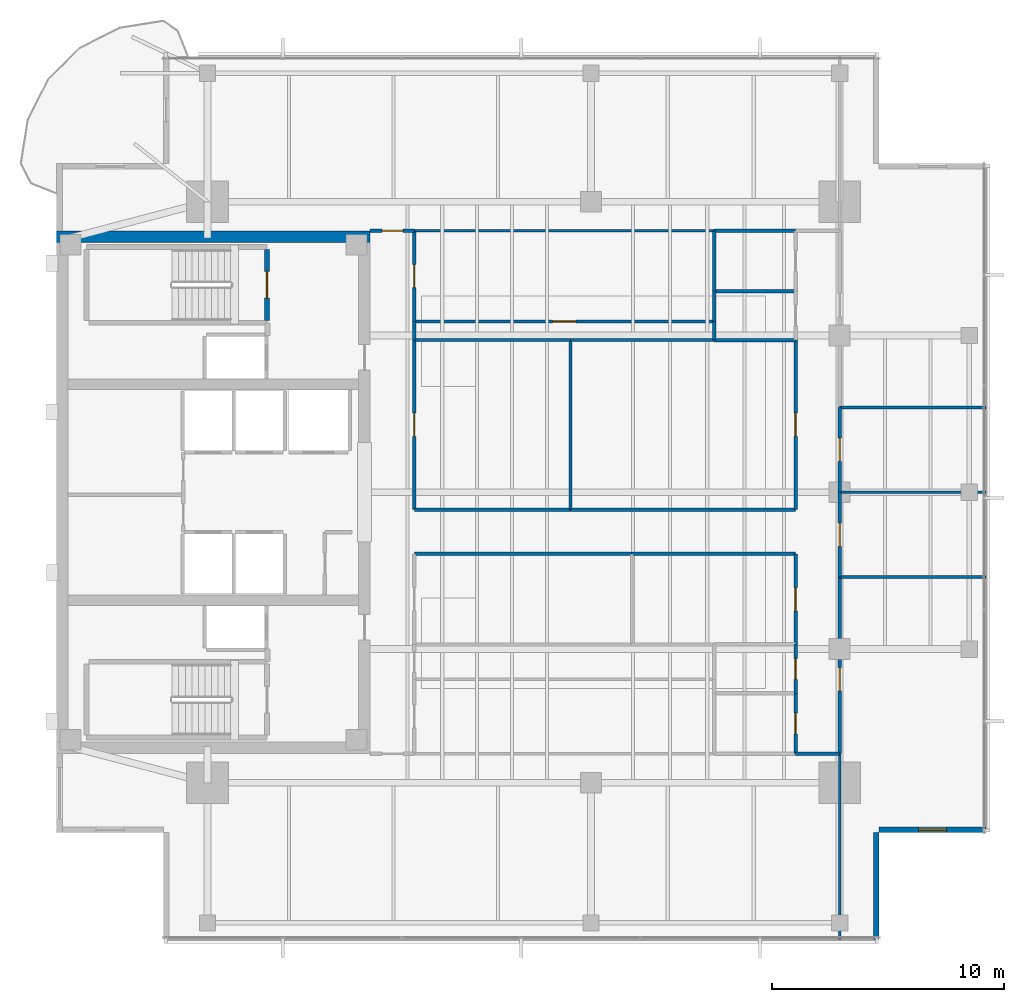
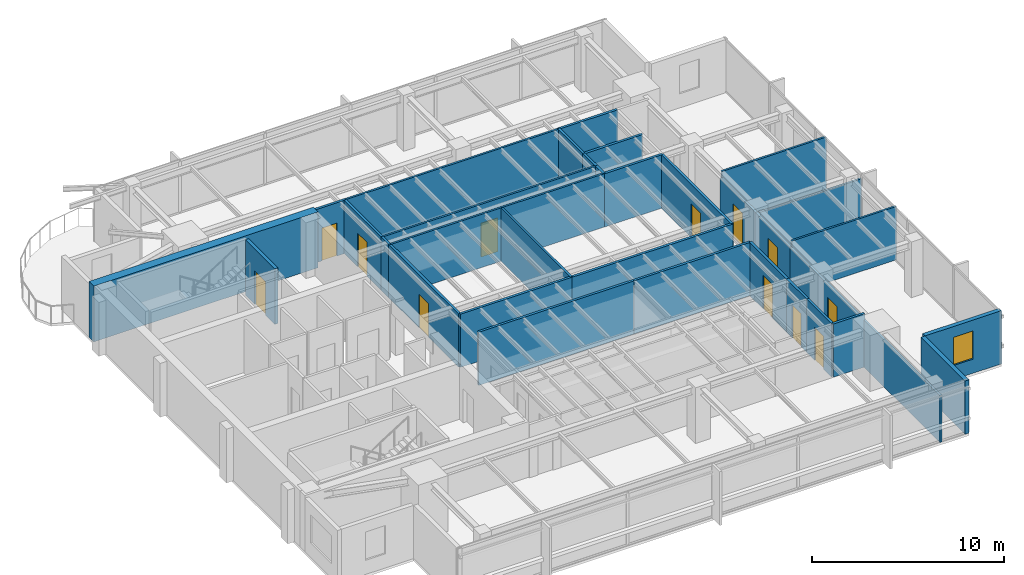
# One storey, part 9 of 14: 35 walls, 12 doors, 1 window, 13 openings.
"""IFC4 building model written with IfcOpenShell, lengths in metres."""

from ifc_helpers import new_model, si_unit, direction, frame, frame_2d, origin, place, context, subcontext, project, spatial, rectangle, extrude, material, layer, layer_set, type_object, element, fill, save


model = new_model("IFC4")

# Units and contexts
model_context = context("Model", 3, precision=1e-05, world=origin(), true_north=direction((0.0, 1.0)))
body_context = subcontext(model_context, "Body", "Model", "MODEL_VIEW")
ifc_project = project(units=[si_unit("LENGTHUNIT", "METRE"), si_unit("AREAUNIT", "SQUARE_METRE"), si_unit("VOLUMEUNIT", "CUBIC_METRE"), si_unit("PLANEANGLEUNIT", "RADIAN"), si_unit("MASSUNIT", "GRAM", prefix="KILO")], contexts=[model_context])

# Site, building, storey
site_placement = place(None, origin())
site = spatial("IfcSite", under=ifc_project, at=site_placement, CompositionType="ELEMENT")
building_placement = place(site_placement, origin())
building = spatial("IfcBuilding", under=site, at=building_placement, Name="Kinhvarn Gate Tower", CompositionType="ELEMENT")
storey_placement = place(building_placement, frame((0.0, 0.0, 252.800048828125)))
storey = spatial("IfcBuildingStorey", under=building, at=storey_placement, Name="L67", CompositionType="ELEMENT", Elevation=252.800048828125)

# Walls
ifc_material_1 = material(Name="Concrete C50/60", Category="concrete")
ifc_layer_1 = layer(ifc_material_1, 0.5)
ifc_layer_set_1 = layer_set([ifc_layer_1], Name="Concrete C50/60")
wall_type_1 = type_object("IfcWallType", Name="WL-CORE-500", PredefinedType="SHEAR", material=ifc_layer_set_1)
wall_1_placement = place(storey_placement, frame((4.5, 36.25, 0.0), z_axis=(0.0, 0.0, 1.0), x_axis=(1.0, 0.0, 0.0)))
element("IfcWall", 1, at=wall_1_placement, inside=storey, type_object=wall_type_1, Name="Core North Shear Wall L67 500 mm", PredefinedType="SHEAR", context=body_context, shape_type="SweptSolid", body=[
    extrude(rectangle(XDim=13.5, YDim=0.5, at=frame_2d((6.75, 0.0))), origin(), (0.0, 0.0, 1.0), 3.550048828125),
])
ifc_material_2 = material(Name="Fired architectural terracotta", Category="masonry")
ifc_layer_2 = layer(ifc_material_2, 0.25)
ifc_layer_set_2 = layer_set([ifc_layer_2], Name="Fired architectural terracotta")
wall_type_2 = type_object("IfcWallType", Name="WL-EXT-250", PredefinedType="SOLIDWALL", material=ifc_layer_set_2)
wall_2_placement = place(storey_placement, frame((39.77490234375, 6.0, 0.0), z_axis=(0.0, 0.0, 1.0), x_axis=(0.0, 1.0, 0.0)))
element("IfcWall", 2, at=wall_2_placement, inside=storey, type_object=wall_type_2, Name="Exterior Solidwall Wall EW-250 (L67 SE-Notch-1)", PredefinedType="SOLIDWALL", context=body_context, shape_type="SweptSolid", body=[
    extrude(rectangle(XDim=4.60009765625, YDim=0.25, at=frame_2d((2.300048828125, 0.0))), origin(), (0.0, 0.0, 1.0), 3.389892578125),
])

# Wall, opening, window
wall_3_placement = place(storey_placement, frame((39.89990234375, 10.72509765625, 0.0), z_axis=(0.0, 0.0, 1.0), x_axis=(1.0, 0.0, 0.0)))
wall_3 = element("IfcWall", 3, at=wall_3_placement, inside=storey, type_object=wall_type_2, Name="Exterior Solidwall Wall EW-250 (L67 SE-Notch-2)", PredefinedType="SOLIDWALL", context=body_context, shape_type="SweptSolid", body=[
    extrude(rectangle(XDim=4.60009765625, YDim=0.25, at=frame_2d((2.300048828125, 0.0))), origin(), (0.0, 0.0, 1.0), 3.389892578125),
])
opening_1_placement = place(wall_3_placement, frame((1.699951171875, 0.0, 0.89990234375)))
opening_1 = element("IfcOpeningElement", 4, at=opening_1_placement, cuts=wall_3, Name="Opening WN-02", PredefinedType="OPENING", context=body_context, shape_type="SweptSolid", body=[
    extrude(rectangle(XDim=1.199951171875, YDim=1.800048828125, at=frame_2d((0.60009765625, 0.89990234375))), frame((0.0, 0.135009765625, 0.0), z_axis=(0.0, -1.0, 0.0), x_axis=(1.0, 0.0, 0.0)), (0.0, 0.0, 1.0), 0.27001953125),
])
ifc_material_3 = material(Name="Clear low-e double glazing", Category="glass")
window_type = type_object("IfcWindowType", Name="WIN-NTC-1200", PartitioningType="SINGLE_PANEL", PredefinedType="WINDOW", material=ifc_material_3)
window_placement = place(opening_1_placement, origin())
window = element("IfcWindow", 5, at=window_placement, inside=storey, type_object=window_type, Name="Recessed Corner Notch Punched Window 1200x1800 mm (L67)", OverallHeight=1.800048828125, OverallWidth=1.199951171875, PartitioningType="SINGLE_PANEL", PredefinedType="WINDOW", context=body_context, shape_type="SweptSolid", body=[
    extrude(rectangle(XDim=1.199951171875, YDim=1.800048828125, at=frame_2d((0.60009765625, 0.89990234375))), frame((0.0, 0.030029296875, 0.0), z_axis=(0.0, -1.0, 0.0), x_axis=(1.0, 0.0, 0.0)), (0.0, 0.0, 1.0), 0.06005859375),
])
fill(opening_1, window)

# Walls
ifc_material_4 = material(Name="Gypsum acoustic partition board")
ifc_layer_3 = layer(ifc_material_4, 0.14990234375)
ifc_layer_set_3 = layer_set([ifc_layer_3], Name="Gypsum acoustic partition board")
wall_type_3 = type_object("IfcWallType", Name="WL-PLM-150", PredefinedType="PLUMBINGWALL", material=ifc_layer_set_3)
wall_4_placement = place(storey_placement, frame((32.800048828125, 33.89990234375, 0.0), z_axis=(0.0, 0.0, 1.0), x_axis=(1.0, 0.0, 0.0)))
element("IfcWall", 6, at=wall_4_placement, inside=storey, type_object=wall_type_3, Name="Interior Partition PLW-150 (L67)", PredefinedType="PLUMBINGWALL", context=body_context, shape_type="SweptSolid", body=[
    extrude(rectangle(XDim=3.5, YDim=0.14990234375, at=frame_2d((1.75, 0.0))), origin(), (0.0, 0.0, 1.0), 3.389892578125),
])
wall_5_placement = place(storey_placement, frame((32.800048828125, 33.89990234375, 0.0), z_axis=(0.0, 0.0, 1.0), x_axis=(0.0, 1.0, 0.0)))
element("IfcWall", 7, at=wall_5_placement, inside=storey, type_object=wall_type_3, Name="Interior Partition PLW-150 (L67)", PredefinedType="PLUMBINGWALL", context=body_context, shape_type="SweptSolid", body=[
    extrude(rectangle(XDim=2.60009765625, YDim=0.14990234375, at=frame_2d((1.300048828125, 0.0))), origin(), (0.0, 0.0, 1.0), 3.389892578125),
])
wall_6_placement = place(storey_placement, frame((32.800048828125, 36.5, 0.0), z_axis=(0.0, 0.0, 1.0), x_axis=(1.0, 0.0, 0.0)))
element("IfcWall", 8, at=wall_6_placement, inside=storey, type_object=wall_type_3, Name="Interior Partition PLW-150 (L67)", PredefinedType="PLUMBINGWALL", context=body_context, shape_type="SweptSolid", body=[
    extrude(rectangle(XDim=3.5, YDim=0.14990234375, at=frame_2d((1.75, 0.0))), origin(), (0.0, 0.0, 1.0), 3.389892578125),
])
wall_7_placement = place(storey_placement, frame((32.800048828125, 32.60009765625, 0.0), z_axis=(0.0, 0.0, 1.0), x_axis=(0.0, 1.0, 0.0)))
element("IfcWall", 9, at=wall_7_placement, inside=storey, type_object=wall_type_3, Name="Interior Partition PLW-150 (L67)", PredefinedType="PLUMBINGWALL", context=body_context, shape_type="SweptSolid", body=[
    extrude(rectangle(XDim=1.2998046875, YDim=0.14990234375, at=frame_2d((0.64990234375, 0.0))), origin(), (0.0, 0.0, 1.0), 3.389892578125),
])
wall_8_placement = place(storey_placement, frame((32.800048828125, 31.800048828125, 0.0), z_axis=(0.0, 0.0, 1.0), x_axis=(0.0, 1.0, 0.0)))
element("IfcWall", 10, at=wall_8_placement, inside=storey, type_object=wall_type_3, Name="Interior Partition PLW-150 (L67)", PredefinedType="PLUMBINGWALL", context=body_context, shape_type="SweptSolid", body=[
    extrude(rectangle(XDim=0.800048828125, YDim=0.14990234375, at=frame_2d((0.39990234375, 0.0))), origin(), (0.0, 0.0, 1.0), 3.389892578125),
])
wall_9_placement = place(storey_placement, frame((32.800048828125, 31.800048828125, 0.0), z_axis=(0.0, 0.0, 1.0), x_axis=(1.0, 0.0, 0.0)))
element("IfcWall", 11, at=wall_9_placement, inside=storey, type_object=wall_type_3, Name="Interior Partition PLW-150 (L67)", PredefinedType="PLUMBINGWALL", context=body_context, shape_type="SweptSolid", body=[
    extrude(rectangle(XDim=3.5, YDim=0.14990234375, at=frame_2d((1.75, 0.0))), origin(), (0.0, 0.0, 1.0), 3.389892578125),
])

# Wall, opening, door
ifc_layer_4 = layer(ifc_material_4, 0.14990234375)
ifc_layer_set_4 = layer_set([ifc_layer_4], Name="Gypsum acoustic partition board")
wall_type_4 = type_object("IfcWallType", Name="WL-PLM-150F", PredefinedType="PLUMBINGWALL", material=ifc_layer_set_4)
wall_10_placement = place(storey_placement, frame((36.300048828125, 14.0, 0.0), z_axis=(0.0, 0.0, 1.0), x_axis=(0.0, 1.0, 0.0)))
wall_10 = element("IfcWall", 12, at=wall_10_placement, inside=storey, type_object=wall_type_4, Name="Interior Partition PLW-150F (L67)", PredefinedType="PLUMBINGWALL", context=body_context, shape_type="SweptSolid", body=[
    extrude(rectangle(XDim=2.60009765625, YDim=0.14990234375, at=frame_2d((1.300048828125, 0.0))), origin(), (0.0, 0.0, 1.0), 3.389892578125),
])
opening_2_placement = place(wall_10_placement, frame((0.85009765625, 0.0, 0.0)))
opening_2 = element("IfcOpeningElement", 13, at=opening_2_placement, cuts=wall_10, Name="Opening FD-04", PredefinedType="OPENING", context=body_context, shape_type="SweptSolid", body=[
    extrude(rectangle(XDim=0.89990234375, YDim=2.10009765625, at=frame_2d((0.449951171875, 1.050048828125))), frame((0.0, 0.0849609375, 0.0), z_axis=(0.0, -1.0, 0.0), x_axis=(1.0, 0.0, 0.0)), (0.0, 0.0, 1.0), 0.169921875),
])
ifc_material_5 = material(Name="Anodised aluminium AW-6063", Category="aluminium")
door_type_1 = type_object("IfcDoorType", Name="DR-FD-900", OperationType="NOTDEFINED", PredefinedType="DOOR", material=ifc_material_5)
door_1_placement = place(opening_2_placement, origin())
door_1 = element("IfcDoor", 14, at=door_1_placement, inside=storey, type_object=door_type_1, Name="Rated Riser & Service Closet Fire Door 900x2100 mm (L67)", OperationType="SINGLE_SWING_RIGHT", OverallHeight=2.10009765625, OverallWidth=0.89990234375, PredefinedType="DOOR", context=body_context, shape_type="SweptSolid", body=[
    extrude(rectangle(XDim=0.89990234375, YDim=2.10009765625, at=frame_2d((0.449951171875, 1.050048828125))), frame((0.0, 0.02490234375, 0.0), z_axis=(0.0, -1.0, 0.0), x_axis=(1.0, 0.0, 0.0)), (0.0, 0.0, 1.0), 0.050048828125),
])
fill(opening_2, door_1)

wall_11_placement = place(storey_placement, frame((36.300048828125, 16.60009765625, 0.0), z_axis=(0.0, 0.0, 1.0), x_axis=(0.0, 1.0, 0.0)))
wall_11 = element("IfcWall", 15, at=wall_11_placement, inside=storey, type_object=wall_type_4, Name="Interior Partition PLW-150F (L67)", PredefinedType="PLUMBINGWALL", context=body_context, shape_type="SweptSolid", body=[
    extrude(rectangle(XDim=2.099853515625, YDim=0.14990234375, at=frame_2d((1.0498046875, 0.0))), origin(), (0.0, 0.0, 1.0), 3.389892578125),
])
opening_3_placement = place(wall_11_placement, frame((0.60009765625, 0.0, 0.0)))
opening_3 = element("IfcOpeningElement", 16, at=opening_3_placement, cuts=wall_11, Name="Opening FD-04", PredefinedType="OPENING", context=body_context, shape_type="SweptSolid", body=[
    extrude(rectangle(XDim=0.89990234375, YDim=2.10009765625, at=frame_2d((0.449951171875, 1.050048828125))), frame((0.0, 0.0849609375, 0.0), z_axis=(0.0, -1.0, 0.0), x_axis=(1.0, 0.0, 0.0)), (0.0, 0.0, 1.0), 0.169921875),
])
door_2_placement = place(opening_3_placement, origin())
door_2 = element("IfcDoor", 17, at=door_2_placement, inside=storey, type_object=door_type_1, Name="Rated Riser & Service Closet Fire Door 900x2100 mm (L67)", OperationType="SINGLE_SWING_RIGHT", OverallHeight=2.10009765625, OverallWidth=0.89990234375, PredefinedType="DOOR", context=body_context, shape_type="SweptSolid", body=[
    extrude(rectangle(XDim=0.89990234375, YDim=2.10009765625, at=frame_2d((0.449951171875, 1.050048828125))), frame((0.0, 0.02490234375, 0.0), z_axis=(0.0, -1.0, 0.0), x_axis=(1.0, 0.0, 0.0)), (0.0, 0.0, 1.0), 0.050048828125),
])
fill(opening_3, door_2)

ifc_layer_5 = layer(ifc_material_4, 0.1201171875)
ifc_layer_set_5 = layer_set([ifc_layer_5], Name="Gypsum acoustic partition board")
wall_type_5 = type_object("IfcWallType", Name="WL-PRT-120", PredefinedType="PARTITIONING", material=ifc_layer_set_5)
wall_12_placement = place(storey_placement, frame((19.89990234375, 32.60009765625, 0.0), z_axis=(0.0, 0.0, 1.0), x_axis=(1.0, 0.0, 0.0)))
wall_12 = element("IfcWall", 18, at=wall_12_placement, inside=storey, type_object=wall_type_5, Name="Interior Partition PW-120 (L67)", PredefinedType="PARTITIONING", context=body_context, shape_type="SweptSolid", body=[
    extrude(rectangle(XDim=12.900146484375, YDim=0.1201171875, at=frame_2d((6.4501953125, 0.0))), origin(), (0.0, 0.0, 1.0), 3.389892578125),
])
opening_4_placement = place(wall_12_placement, frame((5.949951171875, 0.0, 0.0)))
opening_4 = element("IfcOpeningElement", 19, at=opening_4_placement, cuts=wall_12, Name="Opening ID-02", PredefinedType="OPENING", context=body_context, shape_type="SweptSolid", body=[
    extrude(rectangle(XDim=1.0, YDim=2.14990234375, at=frame_2d((0.5, 1.074951171875))), frame((0.0, 0.070068359375, 0.0), z_axis=(0.0, -1.0, 0.0), x_axis=(1.0, 0.0, 0.0)), (0.0, 0.0, 1.0), 0.14013671875),
])
door_type_2 = type_object("IfcDoorType", Name="DR-INT-1000", OperationType="NOTDEFINED", PredefinedType="DOOR", material=ifc_material_5)
door_3_placement = place(opening_4_placement, origin())
door_3 = element("IfcDoor", 20, at=door_3_placement, inside=storey, type_object=door_type_2, Name="Standard Office & Meeting Room Door 1000x2150 mm (L67)", OperationType="SINGLE_SWING_RIGHT", OverallHeight=2.14990234375, OverallWidth=1.0, PredefinedType="DOOR", context=body_context, shape_type="SweptSolid", body=[
    extrude(rectangle(XDim=1.0, YDim=2.14990234375, at=frame_2d((0.5, 1.074951171875))), frame((0.0, 0.02490234375, 0.0), z_axis=(0.0, -1.0, 0.0), x_axis=(1.0, 0.0, 0.0)), (0.0, 0.0, 1.0), 0.050048828125),
])
fill(opening_4, door_3)

# Walls
wall_13_placement = place(storey_placement, frame((19.89990234375, 36.5, 0.0), z_axis=(0.0, 0.0, 1.0), x_axis=(1.0, 0.0, 0.0)))
element("IfcWall", 21, at=wall_13_placement, inside=storey, type_object=wall_type_5, Name="Interior Partition PW-120 (L67)", PredefinedType="PARTITIONING", context=body_context, shape_type="SweptSolid", body=[
    extrude(rectangle(XDim=12.900146484375, YDim=0.1201171875, at=frame_2d((6.4501953125, 0.0))), origin(), (0.0, 0.0, 1.0), 3.389892578125),
])
wall_14_placement = place(storey_placement, frame((19.89990234375, 31.800048828125, 0.0), z_axis=(0.0, 0.0, 1.0), x_axis=(1.0, 0.0, 0.0)))
element("IfcWall", 22, at=wall_14_placement, inside=storey, type_object=wall_type_5, Name="Interior Partition PW-120 (L67)", PredefinedType="PARTITIONING", context=body_context, shape_type="SweptSolid", body=[
    extrude(rectangle(XDim=6.72021484375, YDim=0.1201171875, at=frame_2d((3.360107421875, 0.0))), origin(), (0.0, 0.0, 1.0), 3.389892578125),
])
wall_15_placement = place(storey_placement, frame((26.6201171875, 31.800048828125, 0.0), z_axis=(0.0, 0.0, 1.0), x_axis=(1.0, 0.0, 0.0)))
element("IfcWall", 23, at=wall_15_placement, inside=storey, type_object=wall_type_5, Name="Interior Partition PW-120 (L67)", PredefinedType="PARTITIONING", context=body_context, shape_type="SweptSolid", body=[
    extrude(rectangle(XDim=6.179931640625, YDim=0.1201171875, at=frame_2d((3.08984375, 0.0))), origin(), (0.0, 0.0, 1.0), 3.389892578125),
])
wall_16_placement = place(storey_placement, frame((26.6201171875, 24.5, 0.0), z_axis=(0.0, 0.0, 1.0), x_axis=(0.0, 1.0, 0.0)))
element("IfcWall", 24, at=wall_16_placement, inside=storey, type_object=wall_type_5, Name="Interior Partition PW-120 (L67)", PredefinedType="PARTITIONING", context=body_context, shape_type="SweptSolid", body=[
    extrude(rectangle(XDim=7.300048828125, YDim=0.1201171875, at=frame_2d((3.64990234375, 0.0))), origin(), (0.0, 0.0, 1.0), 3.389892578125),
])
wall_17_placement = place(storey_placement, frame((38.199951171875, 6.010009765625, 0.0), z_axis=(0.0, 0.0, 1.0), x_axis=(0.0, 1.0, 0.0)))
element("IfcWall", 25, at=wall_17_placement, inside=storey, type_object=wall_type_5, Name="Interior Partition PW-120 (L67)", PredefinedType="PARTITIONING", context=body_context, shape_type="SweptSolid", body=[
    extrude(rectangle(XDim=7.989990234375, YDim=0.1201171875, at=frame_2d((3.9951171875, 0.0))), origin(), (0.0, 0.0, 1.0), 2.989990234375),
])
wall_18_placement = place(storey_placement, frame((38.199951171875, 21.60009765625, 0.0), z_axis=(0.0, 0.0, 1.0), x_axis=(1.0, 0.0, 0.0)))
element("IfcWall", 26, at=wall_18_placement, inside=storey, type_object=wall_type_5, Name="Interior Partition PW-120 (L67)", PredefinedType="PARTITIONING", context=body_context, shape_type="SweptSolid", body=[
    extrude(rectangle(XDim=6.2900390625, YDim=0.1201171875, at=frame_2d((3.14501953125, 0.0))), origin(), (0.0, 0.0, 1.0), 3.389892578125),
])
wall_19_placement = place(storey_placement, frame((38.199951171875, 25.25, 0.0), z_axis=(0.0, 0.0, 1.0), x_axis=(1.0, 0.0, 0.0)))
element("IfcWall", 27, at=wall_19_placement, inside=storey, type_object=wall_type_5, Name="Interior Partition PW-120 (L67)", PredefinedType="PARTITIONING", context=body_context, shape_type="SweptSolid", body=[
    extrude(rectangle(XDim=6.2900390625, YDim=0.1201171875, at=frame_2d((3.14501953125, 0.0))), origin(), (0.0, 0.0, 1.0), 2.93994140625),
])
wall_20_placement = place(storey_placement, frame((38.199951171875, 28.89990234375, 0.0), z_axis=(0.0, 0.0, 1.0), x_axis=(1.0, 0.0, 0.0)))
element("IfcWall", 28, at=wall_20_placement, inside=storey, type_object=wall_type_5, Name="Interior Partition PW-120 (L67)", PredefinedType="PARTITIONING", context=body_context, shape_type="SweptSolid", body=[
    extrude(rectangle(XDim=6.2900390625, YDim=0.1201171875, at=frame_2d((3.14501953125, 0.0))), origin(), (0.0, 0.0, 1.0), 3.389892578125),
])

# Wall, opening, door
ifc_layer_6 = layer(ifc_material_4, 0.14990234375)
ifc_layer_set_6 = layer_set([ifc_layer_6], Name="Gypsum acoustic partition board")
wall_type_6 = type_object("IfcWallType", Name="WL-PRT-150F", PredefinedType="PARTITIONING", material=ifc_layer_set_6)
wall_21_placement = place(storey_placement, frame((19.89990234375, 32.60009765625, 0.0), z_axis=(0.0, 0.0, 1.0), x_axis=(0.0, 1.0, 0.0)))
wall_21 = element("IfcWall", 29, at=wall_21_placement, inside=storey, type_object=wall_type_6, Name="Interior Partition PW-150F (L67)", PredefinedType="PARTITIONING", context=body_context, shape_type="SweptSolid", body=[
    extrude(rectangle(XDim=3.89990234375, YDim=0.14990234375, at=frame_2d((1.949951171875, 0.0))), origin(), (0.0, 0.0, 1.0), 3.389892578125),
])
opening_5_placement = place(wall_21_placement, frame((1.449951171875, 0.0, 0.0)))
opening_5 = element("IfcOpeningElement", 30, at=opening_5_placement, cuts=wall_21, Name="Opening ID-02", PredefinedType="OPENING", context=body_context, shape_type="SweptSolid", body=[
    extrude(rectangle(XDim=1.0, YDim=2.14990234375, at=frame_2d((0.5, 1.074951171875))), frame((0.0, 0.0849609375, 0.0), z_axis=(0.0, -1.0, 0.0), x_axis=(1.0, 0.0, 0.0)), (0.0, 0.0, 1.0), 0.169921875),
])
door_4_placement = place(opening_5_placement, origin())
door_4 = element("IfcDoor", 31, at=door_4_placement, inside=storey, type_object=door_type_2, Name="Standard Office & Meeting Room Door 1000x2150 mm (L67)", OperationType="SINGLE_SWING_LEFT", OverallHeight=2.14990234375, OverallWidth=1.0, PredefinedType="DOOR", context=body_context, shape_type="SweptSolid", body=[
    extrude(rectangle(XDim=1.0, YDim=2.14990234375, at=frame_2d((0.5, 1.074951171875))), frame((0.0, 0.02490234375, 0.0), z_axis=(0.0, -1.0, 0.0), x_axis=(1.0, 0.0, 0.0)), (0.0, 0.0, 1.0), 0.050048828125),
])
fill(opening_5, door_4)

# Wall
wall_22_placement = place(storey_placement, frame((19.89990234375, 31.800048828125, 0.0), z_axis=(0.0, 0.0, 1.0), x_axis=(0.0, 1.0, 0.0)))
element("IfcWall", 32, at=wall_22_placement, inside=storey, type_object=wall_type_6, Name="Interior Partition PW-150F (L67)", PredefinedType="PARTITIONING", context=body_context, shape_type="SweptSolid", body=[
    extrude(rectangle(XDim=0.800048828125, YDim=0.14990234375, at=frame_2d((0.39990234375, 0.0))), origin(), (0.0, 0.0, 1.0), 3.389892578125),
])

# Wall, opening, door
wall_23_placement = place(storey_placement, frame((19.89990234375, 24.5, 0.0), z_axis=(0.0, 0.0, 1.0), x_axis=(0.0, 1.0, 0.0)))
wall_23 = element("IfcWall", 33, at=wall_23_placement, inside=storey, type_object=wall_type_6, Name="Interior Partition PW-150F (L67)", PredefinedType="PARTITIONING", context=body_context, shape_type="SweptSolid", body=[
    extrude(rectangle(XDim=7.300048828125, YDim=0.14990234375, at=frame_2d((3.64990234375, 0.0))), origin(), (0.0, 0.0, 1.0), 3.389892578125),
])
opening_6_placement = place(wall_23_placement, frame((3.14990234375, 0.0, 0.0)))
opening_6 = element("IfcOpeningElement", 34, at=opening_6_placement, cuts=wall_23, Name="Opening ID-02", PredefinedType="OPENING", context=body_context, shape_type="SweptSolid", body=[
    extrude(rectangle(XDim=1.0, YDim=2.14990234375, at=frame_2d((0.5, 1.074951171875))), frame((0.0, 0.0849609375, 0.0), z_axis=(0.0, -1.0, 0.0), x_axis=(1.0, 0.0, 0.0)), (0.0, 0.0, 1.0), 0.169921875),
])
door_5_placement = place(opening_6_placement, origin())
door_5 = element("IfcDoor", 35, at=door_5_placement, inside=storey, type_object=door_type_2, Name="Standard Office & Meeting Room Door 1000x2150 mm (L67)", OperationType="SINGLE_SWING_LEFT", OverallHeight=2.14990234375, OverallWidth=1.0, PredefinedType="DOOR", context=body_context, shape_type="SweptSolid", body=[
    extrude(rectangle(XDim=1.0, YDim=2.14990234375, at=frame_2d((0.5, 1.074951171875))), frame((0.0, 0.02490234375, 0.0), z_axis=(0.0, -1.0, 0.0), x_axis=(1.0, 0.0, 0.0)), (0.0, 0.0, 1.0), 0.050048828125),
])
fill(opening_6, door_5)

wall_24_placement = place(storey_placement, frame((18.0, 36.5, 0.0), z_axis=(0.0, 0.0, 1.0), x_axis=(1.0, 0.0, 0.0)))
wall_24 = element("IfcWall", 36, at=wall_24_placement, inside=storey, type_object=wall_type_6, Name="Interior Partition PW-150F (L67)", PredefinedType="PARTITIONING", context=body_context, shape_type="SweptSolid", body=[
    extrude(rectangle(XDim=1.89990234375, YDim=0.14990234375, at=frame_2d((0.949951171875, 0.0))), origin(), (0.0, 0.0, 1.0), 3.389892578125),
])
opening_7_placement = place(wall_24_placement, frame((0.5, 0.0, 0.0)))
opening_7 = element("IfcOpeningElement", 37, at=opening_7_placement, cuts=wall_24, Name="Opening ID-03", PredefinedType="OPENING", context=body_context, shape_type="SweptSolid", body=[
    extrude(rectangle(XDim=0.89990234375, YDim=2.10009765625, at=frame_2d((0.449951171875, 1.050048828125))), frame((0.0, 0.0849609375, 0.0), z_axis=(0.0, -1.0, 0.0), x_axis=(1.0, 0.0, 0.0)), (0.0, 0.0, 1.0), 0.169921875),
])
door_type_3 = type_object("IfcDoorType", Name="DR-INT-900", OperationType="NOTDEFINED", PredefinedType="DOOR", material=ifc_material_5)
door_6_placement = place(opening_7_placement, origin())
door_6 = element("IfcDoor", 38, at=door_6_placement, inside=storey, type_object=door_type_3, Name="Cellular Office & Restroom Door 900x2100 mm (L67)", OperationType="SINGLE_SWING_LEFT", OverallHeight=2.10009765625, OverallWidth=0.89990234375, PredefinedType="DOOR", context=body_context, shape_type="SweptSolid", body=[
    extrude(rectangle(XDim=0.89990234375, YDim=2.10009765625, at=frame_2d((0.449951171875, 1.050048828125))), frame((0.0, 0.02490234375, 0.0), z_axis=(0.0, -1.0, 0.0), x_axis=(1.0, 0.0, 0.0)), (0.0, 0.0, 1.0), 0.050048828125),
])
fill(opening_7, door_6)

# Walls
wall_25_placement = place(storey_placement, frame((19.89990234375, 22.60009765625, 0.0), z_axis=(0.0, 0.0, 1.0), x_axis=(1.0, 0.0, 0.0)))
element("IfcWall", 39, at=wall_25_placement, inside=storey, type_object=wall_type_6, Name="Interior Partition PW-150F (L67)", PredefinedType="PARTITIONING", context=body_context, shape_type="SweptSolid", body=[
    extrude(rectangle(XDim=9.35009765625, YDim=0.14990234375, at=frame_2d((4.675048828125, 0.0))), origin(), (0.0, 0.0, 1.0), 3.389892578125),
])
wall_26_placement = place(storey_placement, frame((29.25, 22.60009765625, 0.0), z_axis=(0.0, 0.0, 1.0), x_axis=(1.0, 0.0, 0.0)))
element("IfcWall", 40, at=wall_26_placement, inside=storey, type_object=wall_type_6, Name="Interior Partition PW-150F (L67)", PredefinedType="PARTITIONING", context=body_context, shape_type="SweptSolid", body=[
    extrude(rectangle(XDim=7.050048828125, YDim=0.14990234375, at=frame_2d((3.52490234375, 0.0))), origin(), (0.0, 0.0, 1.0), 3.389892578125),
])
wall_27_placement = place(storey_placement, frame((19.89990234375, 24.5, 0.0), z_axis=(0.0, 0.0, 1.0), x_axis=(1.0, 0.0, 0.0)))
element("IfcWall", 41, at=wall_27_placement, inside=storey, type_object=wall_type_6, Name="Interior Partition PW-150F (L67)", PredefinedType="PARTITIONING", context=body_context, shape_type="SweptSolid", body=[
    extrude(rectangle(XDim=6.72021484375, YDim=0.14990234375, at=frame_2d((3.360107421875, 0.0))), origin(), (0.0, 0.0, 1.0), 3.389892578125),
])
wall_28_placement = place(storey_placement, frame((26.6201171875, 24.5, 0.0), z_axis=(0.0, 0.0, 1.0), x_axis=(1.0, 0.0, 0.0)))
element("IfcWall", 42, at=wall_28_placement, inside=storey, type_object=wall_type_6, Name="Interior Partition PW-150F (L67)", PredefinedType="PARTITIONING", context=body_context, shape_type="SweptSolid", body=[
    extrude(rectangle(XDim=9.679931640625, YDim=0.14990234375, at=frame_2d((4.83984375, 0.0))), origin(), (0.0, 0.0, 1.0), 3.389892578125),
])

# Wall, opening, door
wall_29_placement = place(storey_placement, frame((36.300048828125, 18.699951171875, 0.0), z_axis=(0.0, 0.0, 1.0), x_axis=(0.0, 1.0, 0.0)))
wall_29 = element("IfcWall", 43, at=wall_29_placement, inside=storey, type_object=wall_type_6, Name="Interior Partition PW-150F (L67)", PredefinedType="PARTITIONING", context=body_context, shape_type="SweptSolid", body=[
    extrude(rectangle(XDim=3.900146484375, YDim=0.14990234375, at=frame_2d((1.9501953125, 0.0))), origin(), (0.0, 0.0, 1.0), 3.389892578125),
])
opening_8_placement = place(wall_29_placement, frame((1.449951171875, 0.0, 0.0)))
opening_8 = element("IfcOpeningElement", 44, at=opening_8_placement, cuts=wall_29, Name="Opening ID-02", PredefinedType="OPENING", context=body_context, shape_type="SweptSolid", body=[
    extrude(rectangle(XDim=1.0, YDim=2.14990234375, at=frame_2d((0.5, 1.074951171875))), frame((0.0, 0.0849609375, 0.0), z_axis=(0.0, -1.0, 0.0), x_axis=(1.0, 0.0, 0.0)), (0.0, 0.0, 1.0), 0.169921875),
])
door_7_placement = place(opening_8_placement, origin())
door_7 = element("IfcDoor", 45, at=door_7_placement, inside=storey, type_object=door_type_2, Name="Standard Office & Meeting Room Door 1000x2150 mm (L67)", OperationType="SINGLE_SWING_RIGHT", OverallHeight=2.14990234375, OverallWidth=1.0, PredefinedType="DOOR", context=body_context, shape_type="SweptSolid", body=[
    extrude(rectangle(XDim=1.0, YDim=2.14990234375, at=frame_2d((0.5, 1.074951171875))), frame((0.0, 0.02490234375, 0.0), z_axis=(0.0, -1.0, 0.0), x_axis=(1.0, 0.0, 0.0)), (0.0, 0.0, 1.0), 0.050048828125),
])
fill(opening_8, door_7)

wall_30_placement = place(storey_placement, frame((36.300048828125, 24.5, 0.0), z_axis=(0.0, 0.0, 1.0), x_axis=(0.0, 1.0, 0.0)))
wall_30 = element("IfcWall", 46, at=wall_30_placement, inside=storey, type_object=wall_type_6, Name="Interior Partition PW-150F (L67)", PredefinedType="PARTITIONING", context=body_context, shape_type="SweptSolid", body=[
    extrude(rectangle(XDim=7.300048828125, YDim=0.14990234375, at=frame_2d((3.64990234375, 0.0))), origin(), (0.0, 0.0, 1.0), 3.389892578125),
])
opening_9_placement = place(wall_30_placement, frame((3.14990234375, 0.0, 0.0)))
opening_9 = element("IfcOpeningElement", 47, at=opening_9_placement, cuts=wall_30, Name="Opening ID-02", PredefinedType="OPENING", context=body_context, shape_type="SweptSolid", body=[
    extrude(rectangle(XDim=1.0, YDim=2.14990234375, at=frame_2d((0.5, 1.074951171875))), frame((0.0, 0.0849609375, 0.0), z_axis=(0.0, -1.0, 0.0), x_axis=(1.0, 0.0, 0.0)), (0.0, 0.0, 1.0), 0.169921875),
])
door_8_placement = place(opening_9_placement, origin())
door_8 = element("IfcDoor", 48, at=door_8_placement, inside=storey, type_object=door_type_2, Name="Standard Office & Meeting Room Door 1000x2150 mm (L67)", OperationType="SINGLE_SWING_LEFT", OverallHeight=2.14990234375, OverallWidth=1.0, PredefinedType="DOOR", context=body_context, shape_type="SweptSolid", body=[
    extrude(rectangle(XDim=1.0, YDim=2.14990234375, at=frame_2d((0.5, 1.074951171875))), frame((0.0, 0.02490234375, 0.0), z_axis=(0.0, -1.0, 0.0), x_axis=(1.0, 0.0, 0.0)), (0.0, 0.0, 1.0), 0.050048828125),
])
fill(opening_9, door_8)

# Wall
wall_31_placement = place(storey_placement, frame((36.300048828125, 14.0, 0.0), z_axis=(0.0, 0.0, 1.0), x_axis=(1.0, 0.0, 0.0)))
element("IfcWall", 49, at=wall_31_placement, inside=storey, type_object=wall_type_6, Name="Interior Partition PW-150F (L67)", PredefinedType="PARTITIONING", context=body_context, shape_type="SweptSolid", body=[
    extrude(rectangle(XDim=1.89990234375, YDim=0.14990234375, at=frame_2d((0.949951171875, 0.0))), origin(), (0.0, 0.0, 1.0), 3.389892578125),
])

# Wall, opening, door
wall_32_placement = place(storey_placement, frame((38.199951171875, 14.0, 0.0), z_axis=(0.0, 0.0, 1.0), x_axis=(0.0, 1.0, 0.0)))
wall_32 = element("IfcWall", 50, at=wall_32_placement, inside=storey, type_object=wall_type_6, Name="Interior Partition PW-150F (L67)", PredefinedType="PARTITIONING", context=body_context, shape_type="SweptSolid", body=[
    extrude(rectangle(XDim=7.60009765625, YDim=0.14990234375, at=frame_2d((3.800048828125, 0.0))), origin(), (0.0, 0.0, 1.0), 2.989990234375),
])
opening_10_placement = place(wall_32_placement, frame((2.7060546875, 0.0, 0.0)))
opening_10 = element("IfcOpeningElement", 51, at=opening_10_placement, cuts=wall_32, Name="Opening ID-02", PredefinedType="OPENING", context=body_context, shape_type="SweptSolid", body=[
    extrude(rectangle(XDim=1.0, YDim=2.14990234375, at=frame_2d((0.5, 1.074951171875))), frame((0.0, 0.0849609375, 0.0), z_axis=(0.0, -1.0, 0.0), x_axis=(1.0, 0.0, 0.0)), (0.0, 0.0, 1.0), 0.169921875),
])
door_9_placement = place(opening_10_placement, origin())
door_9 = element("IfcDoor", 52, at=door_9_placement, inside=storey, type_object=door_type_2, Name="Standard Office & Meeting Room Door 1000x2150 mm (L67)", OperationType="SINGLE_SWING_RIGHT", OverallHeight=2.14990234375, OverallWidth=1.0, PredefinedType="DOOR", context=body_context, shape_type="SweptSolid", body=[
    extrude(rectangle(XDim=1.0, YDim=2.14990234375, at=frame_2d((0.5, 1.074951171875))), frame((0.0, 0.02490234375, 0.0), z_axis=(0.0, -1.0, 0.0), x_axis=(1.0, 0.0, 0.0)), (0.0, 0.0, 1.0), 0.050048828125),
])
fill(opening_10, door_9)

wall_33_placement = place(storey_placement, frame((38.199951171875, 21.60009765625, 0.0), z_axis=(0.0, 0.0, 1.0), x_axis=(0.0, 1.0, 0.0)))
wall_33 = element("IfcWall", 53, at=wall_33_placement, inside=storey, type_object=wall_type_6, Name="Interior Partition PW-150F (L67)", PredefinedType="PARTITIONING", context=body_context, shape_type="SweptSolid", body=[
    extrude(rectangle(XDim=3.64990234375, YDim=0.14990234375, at=frame_2d((1.824951171875, 0.0))), origin(), (0.0, 0.0, 1.0), 2.989990234375),
])
opening_11_placement = place(wall_33_placement, frame((1.324951171875, 0.0, 0.0)))
opening_11 = element("IfcOpeningElement", 54, at=opening_11_placement, cuts=wall_33, Name="Opening ID-02", PredefinedType="OPENING", context=body_context, shape_type="SweptSolid", body=[
    extrude(rectangle(XDim=1.0, YDim=2.14990234375, at=frame_2d((0.5, 1.074951171875))), frame((0.0, 0.0849609375, 0.0), z_axis=(0.0, -1.0, 0.0), x_axis=(1.0, 0.0, 0.0)), (0.0, 0.0, 1.0), 0.169921875),
])
door_10_placement = place(opening_11_placement, origin())
door_10 = element("IfcDoor", 55, at=door_10_placement, inside=storey, type_object=door_type_2, Name="Standard Office & Meeting Room Door 1000x2150 mm (L67)", OperationType="SINGLE_SWING_LEFT", OverallHeight=2.14990234375, OverallWidth=1.0, PredefinedType="DOOR", context=body_context, shape_type="SweptSolid", body=[
    extrude(rectangle(XDim=1.0, YDim=2.14990234375, at=frame_2d((0.5, 1.074951171875))), frame((0.0, 0.02490234375, 0.0), z_axis=(0.0, -1.0, 0.0), x_axis=(1.0, 0.0, 0.0)), (0.0, 0.0, 1.0), 0.050048828125),
])
fill(opening_11, door_10)

wall_34_placement = place(storey_placement, frame((38.199951171875, 25.25, 0.0), z_axis=(0.0, 0.0, 1.0), x_axis=(0.0, 1.0, 0.0)))
wall_34 = element("IfcWall", 56, at=wall_34_placement, inside=storey, type_object=wall_type_6, Name="Interior Partition PW-150F (L67)", PredefinedType="PARTITIONING", context=body_context, shape_type="SweptSolid", body=[
    extrude(rectangle(XDim=3.64990234375, YDim=0.14990234375, at=frame_2d((1.824951171875, 0.0))), origin(), (0.0, 0.0, 1.0), 2.989990234375),
])
opening_12_placement = place(wall_34_placement, frame((1.324951171875, 0.0, 0.0)))
opening_12 = element("IfcOpeningElement", 57, at=opening_12_placement, cuts=wall_34, Name="Opening ID-02", PredefinedType="OPENING", context=body_context, shape_type="SweptSolid", body=[
    extrude(rectangle(XDim=1.0, YDim=2.14990234375, at=frame_2d((0.5, 1.074951171875))), frame((0.0, 0.0849609375, 0.0), z_axis=(0.0, -1.0, 0.0), x_axis=(1.0, 0.0, 0.0)), (0.0, 0.0, 1.0), 0.169921875),
])
door_11_placement = place(opening_12_placement, origin())
door_11 = element("IfcDoor", 58, at=door_11_placement, inside=storey, type_object=door_type_2, Name="Standard Office & Meeting Room Door 1000x2150 mm (L67)", OperationType="SINGLE_SWING_RIGHT", OverallHeight=2.14990234375, OverallWidth=1.0, PredefinedType="DOOR", context=body_context, shape_type="SweptSolid", body=[
    extrude(rectangle(XDim=1.0, YDim=2.14990234375, at=frame_2d((0.5, 1.074951171875))), frame((0.0, 0.02490234375, 0.0), z_axis=(0.0, -1.0, 0.0), x_axis=(1.0, 0.0, 0.0)), (0.0, 0.0, 1.0), 0.050048828125),
])
fill(opening_12, door_11)

ifc_material_6 = material(Name="Concrete C40/50", Category="concrete")
ifc_layer_7 = layer(ifc_material_6, 0.199951171875)
ifc_layer_set_7 = layer_set([ifc_layer_7], Name="Concrete C40/50")
wall_type_7 = type_object("IfcWallType", Name="WL-SHF-200", PredefinedType="SOLIDWALL", material=ifc_layer_set_7)
wall_35_placement = place(storey_placement, frame((13.56005859375, 32.64990234375, 0.0), z_axis=(0.0, 0.0, 1.0), x_axis=(0.0, 1.0, 0.0)))
wall_35 = element("IfcWall", 59, at=wall_35_placement, inside=storey, type_object=wall_type_7, Name="Stair ST2 East Entry Wall (L67)", PredefinedType="SOLIDWALL", context=body_context, shape_type="SweptSolid", body=[
    extrude(rectangle(XDim=3.050048828125, YDim=0.199951171875, at=frame_2d((1.52490234375, 0.0))), origin(), (0.0, 0.0, 1.0), 3.550048828125),
])
opening_13_placement = place(wall_35_placement, frame((0.949951171875, 0.0, 0.0)))
opening_13 = element("IfcOpeningElement", 60, at=opening_13_placement, cuts=wall_35, Name="Opening FD-01", PredefinedType="OPENING", context=body_context, shape_type="SweptSolid", body=[
    extrude(rectangle(XDim=1.14990234375, YDim=2.14990234375, at=frame_2d((0.574951171875, 1.074951171875))), frame((0.0, 0.10986328125, 0.0), z_axis=(0.0, -1.0, 0.0), x_axis=(1.0, 0.0, 0.0)), (0.0, 0.0, 1.0), 0.219970703125),
])
door_type_4 = type_object("IfcDoorType", Name="DR-ST-1150", OperationType="NOTDEFINED", PredefinedType="DOOR", material=ifc_material_5)
door_12_placement = place(opening_13_placement, origin())
door_12 = element("IfcDoor", 61, at=door_12_placement, inside=storey, type_object=door_type_4, Name="Exit Stair ST2 Fire Door (L67)", OperationType="SINGLE_SWING_RIGHT", OverallHeight=2.14990234375, OverallWidth=1.14990234375, PredefinedType="DOOR", context=body_context, shape_type="SweptSolid", body=[
    extrude(rectangle(XDim=1.14990234375, YDim=2.14990234375, at=frame_2d((0.574951171875, 1.074951171875))), frame((0.0, 0.02490234375, 0.0), z_axis=(0.0, -1.0, 0.0), x_axis=(1.0, 0.0, 0.0)), (0.0, 0.0, 1.0), 0.050048828125),
])
fill(opening_13, door_12)

save(model, "model.ifc")
